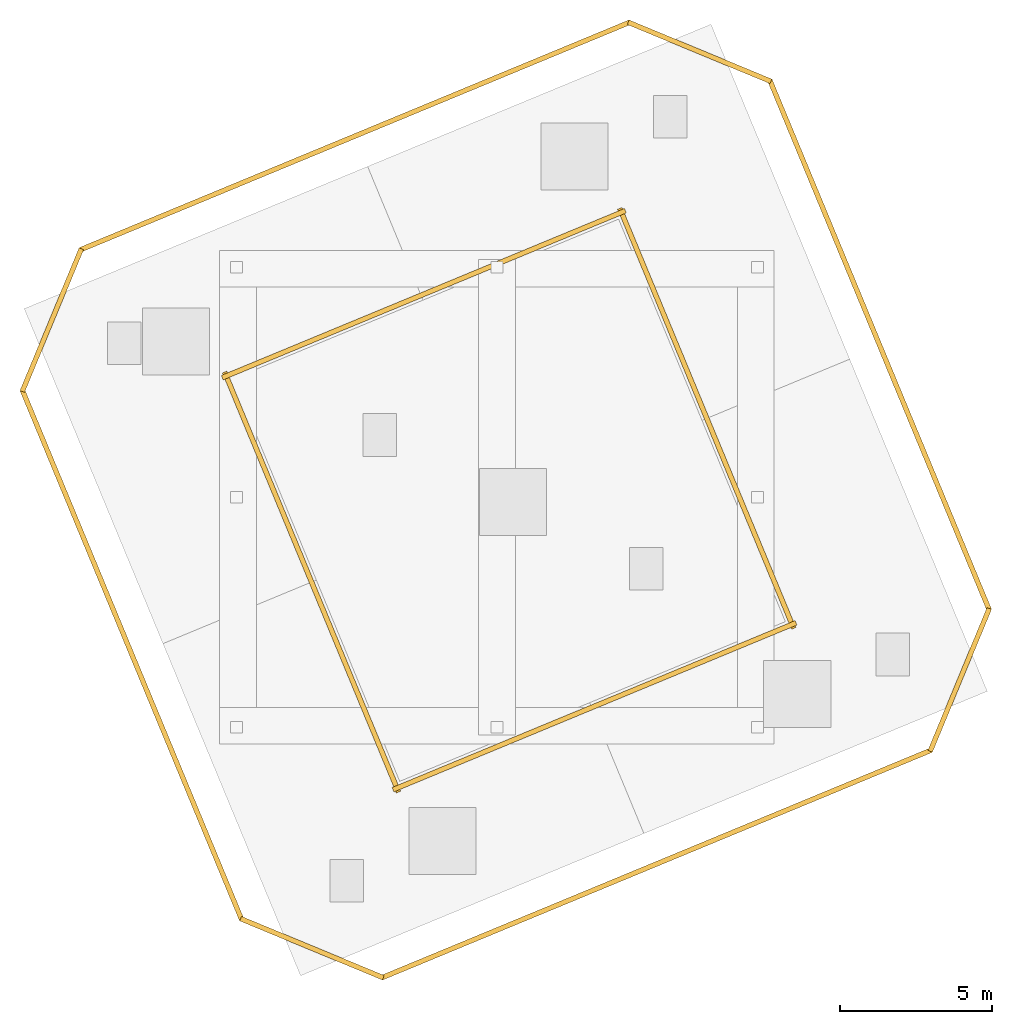
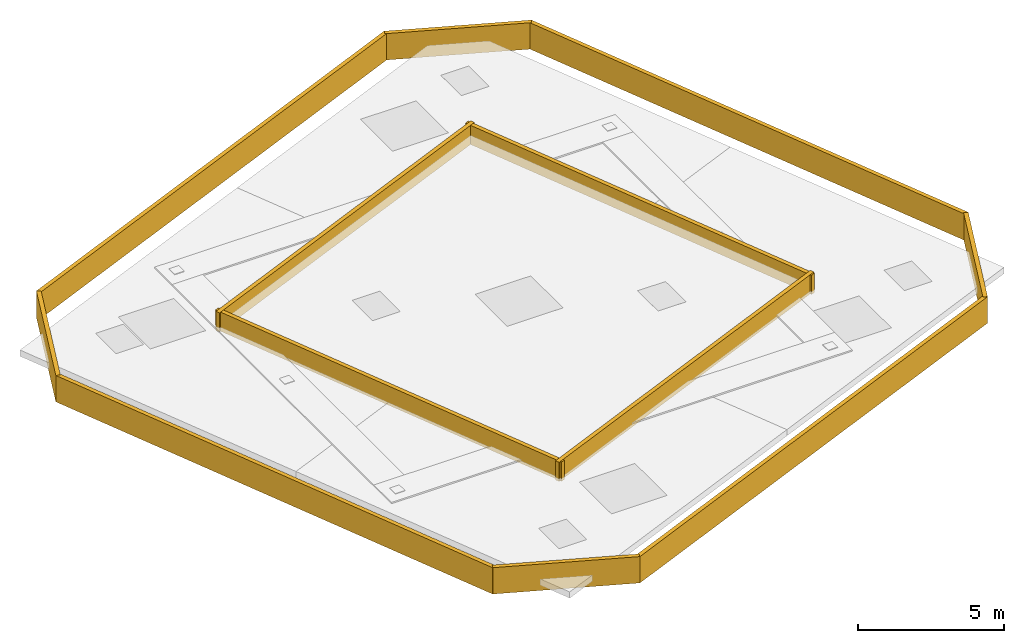
# One storey, part 2 of 2: 12 coverings.
"""IFC4 building model written with IfcOpenShell, lengths in metres."""

from ifc_helpers import new_model, si_unit, direction, frame, origin, origin_2d, place, context, subcontext, project, spatial, rectangle, extrude, source, transform, mapped, material, layer, layer_set, type_object, element, save


model = new_model("IFC4")

# Units and contexts
model_context = context("Model", 3, precision=1e-05, world=origin(), true_north=direction((0.0, 1.0)))
body_context = subcontext(model_context, "Body", "Model", "MODEL_VIEW")
ifc_project = project(units=[si_unit("LENGTHUNIT", "METRE"), si_unit("AREAUNIT", "SQUARE_METRE"), si_unit("VOLUMEUNIT", "CUBIC_METRE"), si_unit("PLANEANGLEUNIT", "RADIAN"), si_unit("MASSUNIT", "GRAM", prefix="KILO")], contexts=[model_context])

# Site, building, storey
site_placement = place(None, origin())
site = spatial("IfcSite", under=ifc_project, at=site_placement, CompositionType="ELEMENT")
building_placement = place(site_placement, origin())
building = spatial("IfcBuilding", under=site, at=building_placement, Name="Torre Montelarca", CompositionType="ELEMENT")
storey_placement = place(building_placement, frame((0.0, 0.0, 375.820068359375)))
storey = spatial("IfcBuildingStorey", under=building, at=storey_placement, Name="ROOF", CompositionType="ELEMENT", Elevation=375.820068359375)

# Coverings
ifc_material = material(Name="Bush-hammered warm white precast concrete C45/55", Category="concrete")
ifc_layer = layer(ifc_material, 0.139892578125, Name="Bush-hammered warm white precast concrete C45/55", Category="concrete")
ifc_layer_set = layer_set([ifc_layer], Name="Bush-hammered warm white precast concrete C45/55")
covering_type = type_object("IfcCoveringType", Name="COV-TRAY-CLAD", PredefinedType="CLADDING", material=ifc_layer_set)
shared_shape_1 = source(origin(), body_context, "Body", "SweptSolid", [
    extrude(rectangle(XDim=18.820068359375, YDim=0.159912109375, at=origin_2d()), origin(), (0.0, 0.0, 1.0), 1.10009765625),
])
for number, where, z_axis, x_axis, name in (
    (1, (6.019287109375, 26.83251953125, -0.22021484375), (0.0, 0.0, 1.0), (0.382683432365, -0.923879532511, 0.0), "ROOF Architectural White Spandrel Tray Band CRNTOP-01"),
    (2, (30.557373046875, 36.99658203125, -0.22021484375), (0.0, 0.0, 1.0), (-0.382685044838, 0.923878864601, 0.0), "ROOF Architectural White Spandrel Tray Band CRNTOP-05"),
):
    element("IfcCovering", number, at=place(storey_placement, frame(where, z_axis=z_axis, x_axis=x_axis)), inside=storey, type_object=covering_type, Name=name, PredefinedType="CLADDING", context=body_context, shape_type="MappedRepresentation", body=[
        mapped(shared_shape_1, transform((0.0, 0.0, 0.0), scale=1.0)),
    ])
shared_shape_2 = source(origin(), body_context, "Body", "SweptSolid", [
    extrude(rectangle(XDim=5.069580078125, YDim=0.159912109375, at=origin_2d()), origin(), (0.0, 0.0, 1.0), 1.10009765625),
])
for number, where, z_axis, x_axis, name in (
    (3, (11.927001953125, 17.20361328125, -0.22021484375), (0.0, 0.0, 1.0), (0.923876192933, -0.38269149472, 0.0), "ROOF Architectural White Spandrel Tray Band CRNTOP-02"),
    (4, (3.38818359375, 37.818359375, -0.22021484375), (0.0, 0.0, 1.0), (-0.38269149472, -0.923876192933, 0.0), "ROOF Architectural White Spandrel Tray Band CRNTOP-08"),
):
    element("IfcCovering", number, at=place(storey_placement, frame(where, z_axis=z_axis, x_axis=x_axis)), inside=storey, type_object=covering_type, Name=name, PredefinedType="CLADDING", context=body_context, shape_type="MappedRepresentation", body=[
        mapped(shared_shape_2, transform((0.0, 0.0, 0.0), scale=1.0)),
    ])
shared_shape_3 = source(origin(), body_context, "Body", "SweptSolid", [
    extrude(rectangle(XDim=19.52001953125, YDim=0.159912109375, at=origin_2d()), origin(), (0.0, 0.0, 1.0), 1.10009765625),
])
for number, where, z_axis, x_axis, name in (
    (5, (23.236328125, 19.968505859375, -0.22021484375), (0.0, 0.0, 1.0), (0.923878864601, 0.382685044838, 0.0), "ROOF Architectural White Spandrel Tray Band CRNTOP-03"),
    (6, (13.340087890625, 43.860107421875, -0.22021484375), (0.0, 0.0, 1.0), (-0.923878196688, -0.382686657311, 0.0), "ROOF Architectural White Spandrel Tray Band CRNTOP-07"),
):
    element("IfcCovering", number, at=place(storey_placement, frame(where, z_axis=z_axis, x_axis=x_axis)), inside=storey, type_object=covering_type, Name=name, PredefinedType="CLADDING", context=body_context, shape_type="MappedRepresentation", body=[
        mapped(shared_shape_3, transform((0.0, 0.0, 0.0), scale=1.0)),
    ])
shared_shape_4 = source(origin(), body_context, "Body", "SweptSolid", [
    extrude(rectangle(XDim=5.06982421875, YDim=0.159912109375, at=origin_2d()), origin(), (0.0, 0.0, 1.0), 1.10009765625),
])
for number, where, z_axis, x_axis, name in (
    (7, (33.1884765625, 26.010498046875, -0.22021484375), (0.0, 0.0, 1.0), (0.382683432365, 0.923879532511, 0.0), "ROOF Architectural White Spandrel Tray Band CRNTOP-04"),
    (8, (24.6494140625, 46.625, -0.22021484375), (0.0, 0.0, 1.0), (-0.923879532511, 0.382683432365, 0.0), "ROOF Architectural White Spandrel Tray Band CRNTOP-06"),
):
    element("IfcCovering", number, at=place(storey_placement, frame(where, z_axis=z_axis, x_axis=x_axis)), inside=storey, type_object=covering_type, Name=name, PredefinedType="CLADDING", context=body_context, shape_type="MappedRepresentation", body=[
        mapped(shared_shape_4, transform((0.0, 0.0, 0.0), scale=1.0)),
    ])
shared_shape_5 = source(origin(), body_context, "Body", "SweptSolid", [
    extrude(rectangle(XDim=14.919921875, YDim=0.159912109375, at=origin_2d()), origin(), (0.0, 0.0, 1.0), 0.800048828125),
])
for number, where, z_axis, x_axis, name in (
    (9, (11.914306640625, 29.219970703125, 0.14013671875), (0.0, 0.0, 1.0), (0.382683432365, -0.923879532511, 0.0), "ROOF Architectural White Spandrel Tray Band CRNPIN-01"),
    (10, (24.885498046875, 34.593017578125, 0.14013671875), (0.0, 0.0, 1.0), (-0.382683432365, 0.923879532511, 0.0), "ROOF Architectural White Spandrel Tray Band CRNPIN-03"),
):
    element("IfcCovering", number, at=place(storey_placement, frame(where, z_axis=z_axis, x_axis=x_axis)), inside=storey, type_object=covering_type, Name=name, PredefinedType="CLADDING", context=body_context, shape_type="MappedRepresentation", body=[
        mapped(shared_shape_5, transform((0.0, 0.0, 0.0), scale=1.0)),
    ])
shared_shape_6 = source(origin(), body_context, "Body", "SweptSolid", [
    extrude(rectangle(XDim=14.320068359375, YDim=0.159912109375, at=origin_2d()), origin(), (0.0, 0.0, 1.0), 0.800048828125),
])
for number, where, z_axis, x_axis, name in (
    (11, (21.200927734375, 25.143798828125, 0.14013671875), (0.0, 0.0, 1.0), (0.923879532511, 0.382683432365, 0.0), "ROOF Architectural White Spandrel Tray Band CRNPIN-02"),
    (12, (15.5986328125, 38.669189453125, 0.14013671875), (0.0, 0.0, 1.0), (-0.923879532511, -0.382683432365, 0.0), "ROOF Architectural White Spandrel Tray Band CRNPIN-04"),
):
    element("IfcCovering", number, at=place(storey_placement, frame(where, z_axis=z_axis, x_axis=x_axis)), inside=storey, type_object=covering_type, Name=name, PredefinedType="CLADDING", context=body_context, shape_type="MappedRepresentation", body=[
        mapped(shared_shape_6, transform((0.0, 0.0, 0.0), scale=1.0)),
    ])

save(model, "model.ifc")
